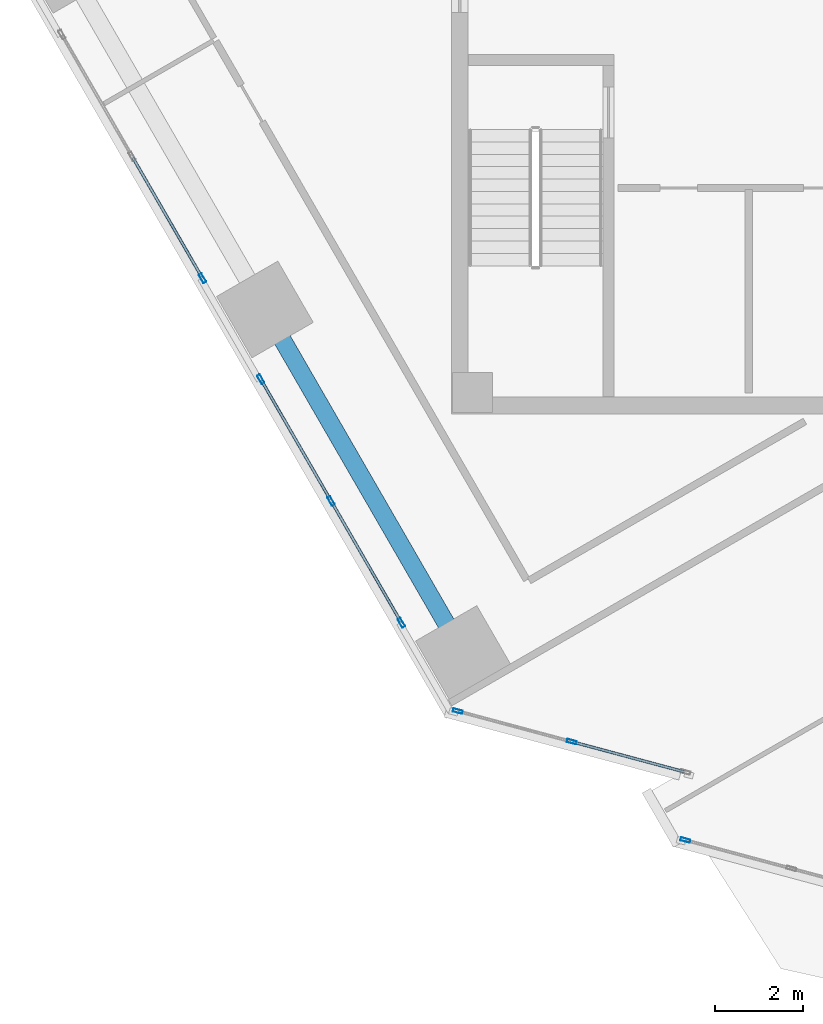
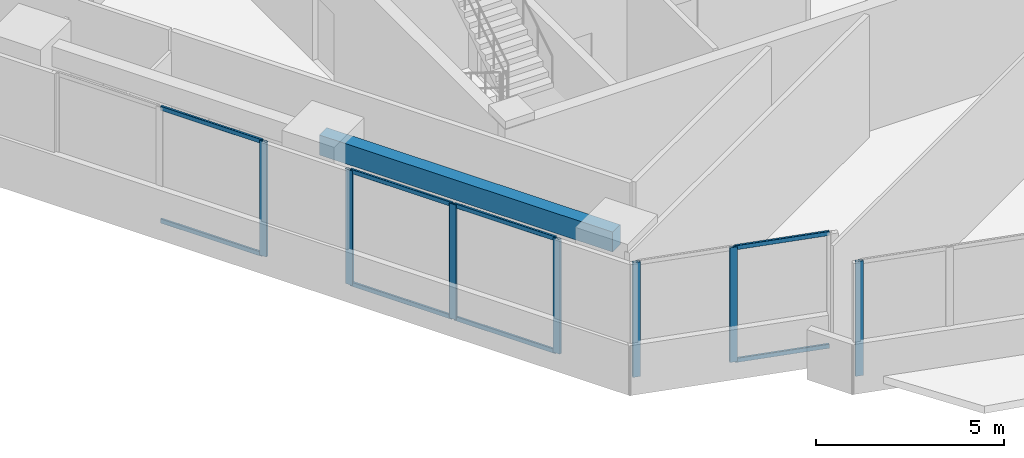
# One storey, part 2 of 16: 15 members, 1 beam, 4 elements without a shape of their own.
"""IFC4 building model written with IfcOpenShell, lengths in metres."""

from ifc_helpers import new_model, si_unit, direction, frame, origin, origin_2d, place, context, subcontext, project, spatial, rectangle, hollow_rectangle, extrude, source, transform, mapped, material, material_profile, profile_set, type_object, element, aggregate, save


model = new_model("IFC4")

# Units and contexts
model_context = context("Model", 3, precision=1e-05, world=origin(), true_north=direction((0.0, 1.0)))
body_context = subcontext(model_context, "Body", "Model", "MODEL_VIEW")
ifc_project = project(units=[si_unit("LENGTHUNIT", "METRE"), si_unit("AREAUNIT", "SQUARE_METRE"), si_unit("VOLUMEUNIT", "CUBIC_METRE"), si_unit("PLANEANGLEUNIT", "RADIAN"), si_unit("MASSUNIT", "GRAM", prefix="KILO")], contexts=[model_context])

# Site, building, storey
site_placement = place(None, origin())
site = spatial("IfcSite", under=ifc_project, at=site_placement, CompositionType="ELEMENT")
building_placement = place(site_placement, origin())
building = spatial("IfcBuilding", under=site, at=building_placement, Name="Torre Montelarca", CompositionType="ELEMENT")
storey_placement = place(building_placement, frame((0.0, 0.0, 319.800048828125)))
storey = spatial("IfcBuildingStorey", under=building, at=storey_placement, Name="L72", CompositionType="ELEMENT", Elevation=319.800048828125)

# Beam
ifc_material_1 = material(Name="Concrete C40/50", Category="concrete")
ifc_material_profile_1 = material_profile(ifc_material_1, rectangle(XDim=0.39990234375, YDim=0.64990234375, at=origin_2d()), Name="RCB400X650", Category="concrete")
ifc_profile_set_1 = profile_set([ifc_material_profile_1], Name="Concrete C40/50")
beam_type = type_object("IfcBeamType", Name="BM-SP-RC650-EXT", PredefinedType="SPANDREL", material=ifc_profile_set_1)
shared_shape_1 = source(origin(), body_context, "Body", "SweptSolid", [
    extrude(rectangle(XDim=0.39990234375, YDim=0.64990234375, at=origin_2d()), origin(), (0.0, 0.0, 1.0), 9.0),
])
beam_placement = place(storey_placement, frame((4.8544921875, 26.43115234375, 3.635009765625), z_axis=(0.5000018851, -0.866024315419, 0.0), x_axis=(0.866024315419, 0.5000018851, 0.0)))
element("IfcBeam", 1, at=beam_placement, inside=storey, type_object=beam_type, Name="L72 Grid Girder X 18.0-27.0 at Y=14.8", PredefinedType="SPANDREL", context=body_context, shape_type="MappedRepresentation", body=[
    mapped(shared_shape_1, transform((0.0, 0.0, 0.0), scale=1.0)),
])

# Curtain wall, members
ifc_material_2 = material(Name="Insulated low-E laminated glass", Category="glass")
curtain_wall_type = type_object("IfcCurtainWallType", Name="CW-SYS-Z4", PredefinedType="USERDEFINED", material=ifc_material_2)
curtain_wall_1_placement = place(storey_placement, origin())
curtain_wall_1 = element("IfcCurtainWall", 2, at=curtain_wall_1_placement, inside=storey, type_object=curtain_wall_type, Name="L72 Curtain Wall Run CW-T3-L72-E01-B1", ObjectType="UNITISED GLAZING", PredefinedType="USERDEFINED")
ifc_material_3 = material(Name="Anodised aluminium AA 6063-T6", Category="aluminium")
ifc_material_profile_2 = material_profile(ifc_material_3, hollow_rectangle(XDim=0.06494140625, YDim=0.139892578125, WallThickness=0.00390625, InnerFilletRadius=0.00390625, OuterFilletRadius=0.008056640625, at=origin_2d()), Name="ALU65X140X4", Category="aluminium")
ifc_profile_set_2 = profile_set([ifc_material_profile_2], Name="Anodised aluminium AA 6063-T6")
member_type_1 = type_object("IfcMemberType", Name="CWT-ALU140", PredefinedType="USERDEFINED", material=ifc_profile_set_2)
shared_shape_2 = source(origin(), body_context, "Body", "SweptSolid", [
    extrude(hollow_rectangle(XDim=0.06494140625, YDim=0.139892578125, WallThickness=0.00390625, InnerFilletRadius=0.00390625, OuterFilletRadius=0.008056640625, at=origin_2d()), origin(), (0.0, 0.0, 1.0), 3.107666015625),
])
member_1_placement = place(storey_placement, frame((1.86962890625, 29.86083984375, 0.032470703125), z_axis=(0.499958203284, -0.866049533785, 0.0), x_axis=(0.866049533785, 0.499958203284, 0.0)))
member_1 = element("IfcMember", 3, at=member_1_placement, type_object=member_type_1, Name="CW transom 2.1", ObjectType="TRANSOM", PredefinedType="USERDEFINED", context=body_context, shape_type="MappedRepresentation", body=[
    mapped(shared_shape_2, transform((0.0, 0.0, 0.0), scale=1.0)),
])
member_2_placement = place(storey_placement, frame((1.86962890625, 29.86083984375, 3.6875), z_axis=(0.499958203284, -0.866049533785, 0.0), x_axis=(0.866049533785, 0.499958203284, 0.0)))
member_2 = element("IfcMember", 4, at=member_2_placement, type_object=member_type_1, Name="CW transom 2.2", ObjectType="TRANSOM", PredefinedType="USERDEFINED", context=body_context, shape_type="MappedRepresentation", body=[
    mapped(shared_shape_2, transform((0.0, 0.0, 0.0), scale=1.0)),
])
ifc_material_profile_3 = material_profile(ifc_material_3, hollow_rectangle(XDim=0.074951171875, YDim=0.219970703125, WallThickness=0.0048828125, InnerFilletRadius=0.0048828125, OuterFilletRadius=0.010009765625, at=origin_2d()), Name="ALU75X220X5", Category="aluminium")
ifc_profile_set_3 = profile_set([ifc_material_profile_3], Name="Anodised aluminium AA 6063-T6")
member_type_2 = type_object("IfcMemberType", Name="CWM-ALU220", PredefinedType="MULLION", material=ifc_profile_set_3)
shared_shape_3 = source(origin(), body_context, "Body", "SweptSolid", [
    extrude(hollow_rectangle(XDim=0.074951171875, YDim=0.219970703125, WallThickness=0.0048828125, InnerFilletRadius=0.0048828125, OuterFilletRadius=0.010009765625, at=origin_2d()), origin(), (0.0, 0.0, 1.0), 3.719970703125),
])
member_3_placement = place(storey_placement, frame((3.442138671875, 27.136962890625, 0.0), z_axis=(0.0, 0.0, 1.0), x_axis=(0.866025264018, 0.500000242082, 0.0)))
member_3 = element("IfcMember", 5, at=member_3_placement, type_object=member_type_2, Name="CW mullion 3", PredefinedType="MULLION", context=body_context, shape_type="MappedRepresentation", body=[
    mapped(shared_shape_3, transform((0.0, 0.0, 0.0), scale=1.0)),
])
aggregate(curtain_wall_1, [member_3, member_1, member_2])

curtain_wall_2_placement = place(storey_placement, origin())
curtain_wall_2 = element("IfcCurtainWall", 6, at=curtain_wall_2_placement, inside=storey, type_object=curtain_wall_type, Name="L72 Curtain Wall Run CW-T3-L72-E01-B2", ObjectType="UNITISED GLAZING", PredefinedType="USERDEFINED")
member_4_placement = place(storey_placement, frame((4.759765625, 24.855224609375, 0.0), z_axis=(0.0, 0.0, 1.0), x_axis=(0.866025264018, 0.500000242082, 0.0)))
member_4 = element("IfcMember", 7, at=member_4_placement, type_object=member_type_2, Name="CW mullion 1", PredefinedType="MULLION", context=body_context, shape_type="MappedRepresentation", body=[
    mapped(shared_shape_3, transform((0.0, 0.0, 0.0), scale=1.0)),
])
member_5_placement = place(storey_placement, frame((6.350830078125, 22.09912109375, 0.0), z_axis=(0.0, 0.0, 1.0), x_axis=(0.866025264018, 0.500000242082, 0.0)))
member_5 = element("IfcMember", 8, at=member_5_placement, type_object=member_type_2, Name="CW mullion 2", PredefinedType="MULLION", context=body_context, shape_type="MappedRepresentation", body=[
    mapped(shared_shape_3, transform((0.0, 0.0, 0.0), scale=1.0)),
])
member_6_placement = place(storey_placement, frame((7.942138671875, 19.3427734375, 0.0), z_axis=(0.0, 0.0, 1.0), x_axis=(0.866025264018, 0.500000242082, 0.0)))
member_6 = element("IfcMember", 9, at=member_6_placement, type_object=member_type_2, Name="CW mullion 3", PredefinedType="MULLION", context=body_context, shape_type="MappedRepresentation", body=[
    mapped(shared_shape_3, transform((0.0, 0.0, 0.0), scale=1.0)),
])

curtain_wall_3_placement = place(storey_placement, origin())
curtain_wall_3 = element("IfcCurtainWall", 10, at=curtain_wall_3_placement, inside=storey, type_object=curtain_wall_type, Name="L72 Curtain Wall Run CW-T3-L72-E02-B1", ObjectType="UNITISED GLAZING", PredefinedType="USERDEFINED")
member_7_placement = place(storey_placement, frame((9.218505859375, 17.34375, 0.0), z_axis=(0.0, 0.0, 1.0), x_axis=(0.25881985568, 0.965925609095, 0.0)))
member_7 = element("IfcMember", 11, at=member_7_placement, type_object=member_type_2, Name="CW mullion 1", PredefinedType="MULLION", context=body_context, shape_type="MappedRepresentation", body=[
    mapped(shared_shape_3, transform((0.0, 0.0, 0.0), scale=1.0)),
])
member_8_placement = place(storey_placement, frame((11.794921875, 16.6533203125, 0.0), z_axis=(0.0, 0.0, 1.0), x_axis=(0.25881985568, 0.965925609095, 0.0)))
member_8 = element("IfcMember", 12, at=member_8_placement, type_object=member_type_2, Name="CW mullion 2", PredefinedType="MULLION", context=body_context, shape_type="MappedRepresentation", body=[
    mapped(shared_shape_3, transform((0.0, 0.0, 0.0), scale=1.0)),
])

# Curtain wall, member
curtain_wall_4_placement = place(storey_placement, origin())
curtain_wall_4 = element("IfcCurtainWall", 13, at=curtain_wall_4_placement, inside=storey, type_object=curtain_wall_type, Name="L72 Curtain Wall Run CW-T3-L72-E05-B1", ObjectType="UNITISED GLAZING", PredefinedType="USERDEFINED")
member_9_placement = place(storey_placement, frame((14.366455078125, 14.427001953125, 0.0), z_axis=(0.0, 0.0, 1.0), x_axis=(0.258815391137, 0.965926805359, 0.0)))
member_9 = element("IfcMember", 14, at=member_9_placement, type_object=member_type_2, Name="CW mullion 1", PredefinedType="MULLION", context=body_context, shape_type="MappedRepresentation", body=[
    mapped(shared_shape_3, transform((0.0, 0.0, 0.0), scale=1.0)),
])
aggregate(curtain_wall_4, [member_9])

# Member
shared_shape_4 = source(origin(), body_context, "Body", "SweptSolid", [
    extrude(hollow_rectangle(XDim=0.06494140625, YDim=0.139892578125, WallThickness=0.00390625, InnerFilletRadius=0.00390625, OuterFilletRadius=0.008056640625, at=origin_2d()), origin(), (0.0, 0.0, 1.0), 2.592529296875),
])
member_10_placement = place(storey_placement, frame((11.831298828125, 16.6435546875, 0.032470703125), z_axis=(0.965934180518, -0.258787864684, 0.0), x_axis=(0.258787864684, 0.965934180518, 0.0)))
member_10 = element("IfcMember", 15, at=member_10_placement, type_object=member_type_1, Name="CW transom 2.1", ObjectType="TRANSOM", PredefinedType="USERDEFINED", context=body_context, shape_type="MappedRepresentation", body=[
    mapped(shared_shape_4, transform((0.0, 0.0, 0.0), scale=1.0)),
])

member_11_placement = place(storey_placement, frame((11.831298828125, 16.6435546875, 3.6875), z_axis=(0.965934180518, -0.258787864684, 0.0), x_axis=(0.258787864684, 0.965934180518, 0.0)))
member_11 = element("IfcMember", 16, at=member_11_placement, type_object=member_type_1, Name="CW transom 2.2", ObjectType="TRANSOM", PredefinedType="USERDEFINED", context=body_context, shape_type="MappedRepresentation", body=[
    mapped(shared_shape_4, transform((0.0, 0.0, 0.0), scale=1.0)),
])

aggregate(curtain_wall_3, [member_7, member_8, member_10, member_11])

shared_shape_5 = source(origin(), body_context, "Body", "SweptSolid", [
    extrude(hollow_rectangle(XDim=0.06494140625, YDim=0.139892578125, WallThickness=0.00390625, InnerFilletRadius=0.00390625, OuterFilletRadius=0.008056640625, at=origin_2d()), origin(), (0.0, 0.0, 1.0), 3.107421875),
])
member_12_placement = place(storey_placement, frame((4.7783203125, 24.82275390625, 0.032470703125), z_axis=(0.499992220956, -0.866029894971, 0.0), x_axis=(0.866029894971, 0.499992220956, 0.0)))
member_12 = element("IfcMember", 17, at=member_12_placement, type_object=member_type_1, Name="CW transom 1.1", ObjectType="TRANSOM", PredefinedType="USERDEFINED", context=body_context, shape_type="MappedRepresentation", body=[
    mapped(shared_shape_5, transform((0.0, 0.0, 0.0), scale=1.0)),
])

member_13_placement = place(storey_placement, frame((4.7783203125, 24.82275390625, 3.6875), z_axis=(0.499992220956, -0.866029894971, 0.0), x_axis=(0.866029894971, 0.499992220956, 0.0)))
member_13 = element("IfcMember", 18, at=member_13_placement, type_object=member_type_1, Name="CW transom 1.2", ObjectType="TRANSOM", PredefinedType="USERDEFINED", context=body_context, shape_type="MappedRepresentation", body=[
    mapped(shared_shape_5, transform((0.0, 0.0, 0.0), scale=1.0)),
])

member_14_placement = place(storey_placement, frame((6.36962890625, 22.06640625, 0.032470703125), z_axis=(0.499992220956, -0.866029894971, 0.0), x_axis=(0.866029894971, 0.499992220956, 0.0)))
member_14 = element("IfcMember", 19, at=member_14_placement, type_object=member_type_1, Name="CW transom 2.1", ObjectType="TRANSOM", PredefinedType="USERDEFINED", context=body_context, shape_type="MappedRepresentation", body=[
    mapped(shared_shape_5, transform((0.0, 0.0, 0.0), scale=1.0)),
])

member_15_placement = place(storey_placement, frame((6.36962890625, 22.06640625, 3.6875), z_axis=(0.499992220956, -0.866029894971, 0.0), x_axis=(0.866029894971, 0.499992220956, 0.0)))
member_15 = element("IfcMember", 20, at=member_15_placement, type_object=member_type_1, Name="CW transom 2.2", ObjectType="TRANSOM", PredefinedType="USERDEFINED", context=body_context, shape_type="MappedRepresentation", body=[
    mapped(shared_shape_5, transform((0.0, 0.0, 0.0), scale=1.0)),
])

aggregate(curtain_wall_2, [member_4, member_5, member_6, member_12, member_13, member_14, member_15])

save(model, "model.ifc")
